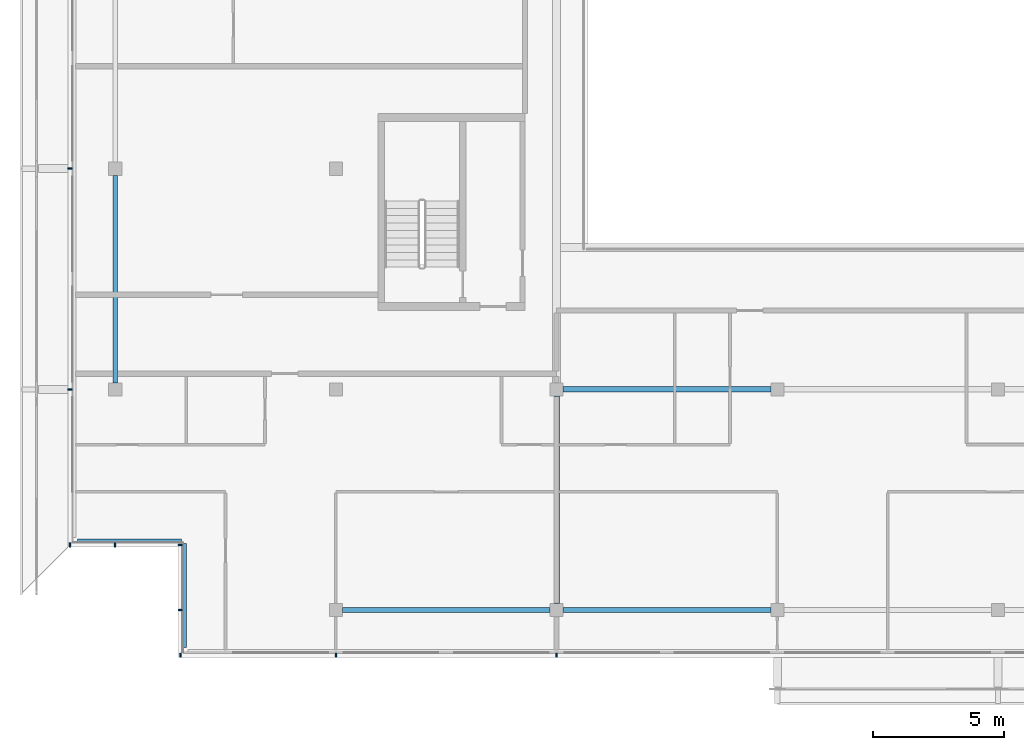
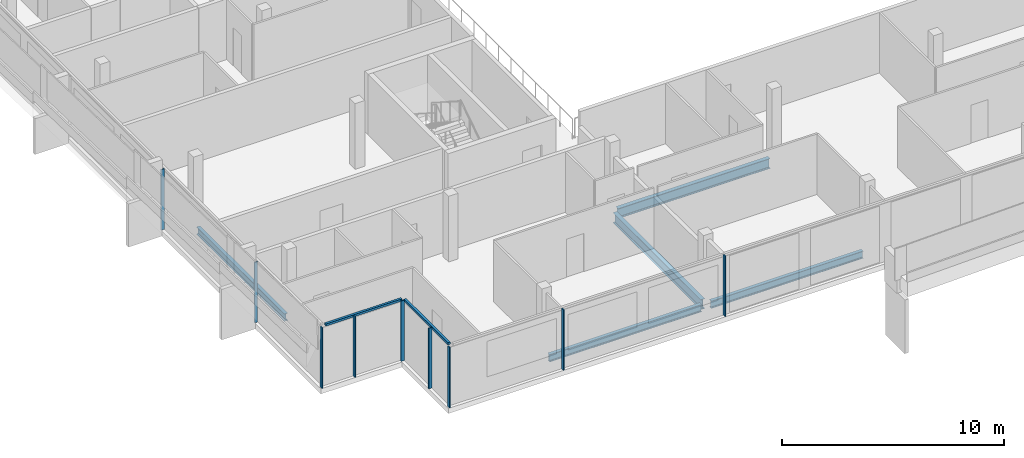
# One storey, part 2 of 26: 11 members, 5 beams, 4 elements without a shape of their own.
"""IFC4 building model written with IfcOpenShell, lengths in metres."""

import ifcopenshell
import ifcopenshell.guid

model = None  # the IFC model being written
_history = None  # IfcOwnerHistory: only IFC2X3 demands one
_inside = {}  # id of a spatial element -> (the spatial element, [elements in it])
_under = {}  # id of a project, library or spatial element -> (it, [spatial elements below it])
_declared = {}  # id of a project -> (the project, [libraries it declares])
_typed = {}  # id of a type object -> (the type object, [elements of that type])
_made_of = {}  # id of a material, layer set ... -> (it, [elements and type objects made of it])


def new_model(schema):
    """Start an empty IFC model of exactly this schema.

    Asked for "IFC4X3", IfcOpenShell would pick the latest addendum, in which some entities
    have other attributes; the version numbers below select the first issue.
    IFC2X3 requires an IfcOwnerHistory on every rooted entity: one is made here for all.
    """
    global model, _history
    if schema == "IFC4X3":
        model = ifcopenshell.file(schema_version=(4, 3, 0, 0))
    else:
        model = ifcopenshell.file(schema=schema)
    _inside.clear()
    _under.clear()
    _declared.clear()
    _typed.clear()
    _made_of.clear()
    _history = None
    if model.schema == "IFC2X3":
        org = make("IfcOrganization", Name="unknown")
        user = make(
            "IfcPersonAndOrganization",
            ThePerson=make("IfcPerson", FamilyName="unknown"),
            TheOrganization=org,
        )
        app = make(
            "IfcApplication",
            ApplicationDeveloper=org,
            Version="unknown",
            ApplicationFullName="unknown",
            ApplicationIdentifier="unknown",
        )
        _history = make(
            "IfcOwnerHistory",
            OwningUser=user,
            OwningApplication=app,
            ChangeAction="ADDED",
            CreationDate=0,
        )
    return model


def make(cls, **values):
    """One entity of the class cls with the attributes given. An attribute that is None is left unset."""
    return model.create_entity(
        cls, **{name: value for name, value in values.items() if value is not None}
    )


def rooted(cls, **values):
    """An entity with a GlobalId (a new one), such as an element, a storey or a relation."""
    return make(cls, GlobalId=ifcopenshell.guid.new(), OwnerHistory=_history, **values)


def si_unit(unit_type, name, prefix=None):
    """IfcSIUnit, for example si_unit("LENGTHUNIT", "METRE", prefix="MILLI")."""
    return make("IfcSIUnit", UnitType=unit_type, Prefix=prefix, Name=name)


def assignment(units):
    """IfcUnitAssignment: the units of a project."""
    return None if units is None else make("IfcUnitAssignment", Units=units)


def point(xyz):
    """IfcCartesianPoint."""
    return None if xyz is None else make("IfcCartesianPoint", Coordinates=xyz)


def direction(xyz):
    """IfcDirection."""
    return None if xyz is None else make("IfcDirection", DirectionRatios=xyz)


def frame(location, z_axis=None, x_axis=None):
    """IfcAxis2Placement3D, a coordinate frame: its origin and axes. An axis left out is left unset."""
    return make(
        "IfcAxis2Placement3D",
        Location=point(location),
        Axis=direction(z_axis),
        RefDirection=direction(x_axis),
    )


def frame_2d(location, x_axis=None):
    """IfcAxis2Placement2D, a coordinate frame in the plane: its origin and x axis."""
    return make(
        "IfcAxis2Placement2D", Location=point(location), RefDirection=direction(x_axis)
    )


def origin():
    """The frame at (0, 0, 0) with its axes left unset."""
    return frame((0.0, 0.0, 0.0))


def origin_2d():
    """The frame at (0, 0) in the plane with its x axis left unset."""
    return frame_2d((0.0, 0.0))


def place(relative_to, where):
    """IfcLocalPlacement: puts the frame where relative to a parent placement (None: the world)."""
    return make(
        "IfcLocalPlacement", PlacementRelTo=relative_to, RelativePlacement=where
    )


def context(
    kind, dimensions, precision=None, world=None, true_north=None, identifier=None
):
    """IfcGeometricRepresentationContext, for example the 3D "Model" context."""
    return make(
        "IfcGeometricRepresentationContext",
        ContextIdentifier=identifier,
        ContextType=kind,
        CoordinateSpaceDimension=dimensions,
        Precision=precision,
        WorldCoordinateSystem=world,
        TrueNorth=true_north,
    )


def subcontext(parent, identifier, kind, view, scale=None):
    """IfcGeometricRepresentationSubContext, for example "Body" below "Model"."""
    return make(
        "IfcGeometricRepresentationSubContext",
        ContextIdentifier=identifier,
        ContextType=kind,
        ParentContext=parent,
        TargetScale=scale,
        TargetView=view,
    )


def project(units=None, contexts=None):
    """IfcProject with its units and contexts."""
    return rooted(
        "IfcProject",
        Name="project",
        RepresentationContexts=contexts,
        UnitsInContext=assignment(units),
    )


def spatial(cls, under=None, at=None, **own):
    """A site, building, storey or space (cls), placed at a placement, below another one or the project."""
    s = rooted(cls, ObjectPlacement=at, **own)
    if under is not None:
        _under.setdefault(under.id(), (under, []))[1].append(s)
    return s


def profile(cls, at=None, kind="AREA", **sizes):
    """A parametric profile (cls). Its sizes go by their IFC names, for example OverallWidth=200.0."""
    return make(cls, ProfileType=kind, Position=at, **sizes)


def rectangle(**sizes):
    """IfcRectangleProfileDef."""
    return profile("IfcRectangleProfileDef", **sizes)


def i_section(**sizes):
    """IfcIShapeProfileDef."""
    return profile("IfcIShapeProfileDef", **sizes)


def extrude(swept, where, along, depth):
    """IfcExtrudedAreaSolid: the profile swept, set in the frame where, extruded along a direction by depth."""
    return make(
        "IfcExtrudedAreaSolid",
        SweptArea=swept,
        Position=where,
        ExtrudedDirection=direction(along),
        Depth=depth,
    )


def shape(context_of_items, identifier, shape_type, items):
    """IfcShapeRepresentation: the items that make up one representation, for example the "Body"."""
    return make(
        "IfcShapeRepresentation",
        ContextOfItems=context_of_items,
        RepresentationIdentifier=identifier,
        RepresentationType=shape_type,
        Items=items,
    )


def material(Name=None, Category=None):
    """IfcMaterial."""
    return make("IfcMaterial", Name=Name, Category=Category)


def material_profile(
    of_material, cross_section, Name=None, Category=None, Priority=None
):
    """IfcMaterialProfile: a cross section and its material."""
    return make(
        "IfcMaterialProfile",
        Name=Name,
        Material=of_material,
        Profile=cross_section,
        Priority=Priority,
        Category=Category,
    )


def profile_set(profiles, Name=None, composite=None):
    """IfcMaterialProfileSet."""
    return make(
        "IfcMaterialProfileSet",
        Name=Name,
        MaterialProfiles=profiles,
        CompositeProfile=composite,
    )


def made_of(thing, what):
    """Note that an element or type object is made of a material, layer set ...; save() writes the relation."""
    if what is not None:
        _made_of.setdefault(what.id(), (what, []))[1].append(thing)
    return thing


def type_object(cls, material=None, **own):
    """A type object (cls), such as IfcWallType, which elements share."""
    return made_of(rooted(cls, **own), material)


def element(
    cls,
    number,
    at=None,
    inside=None,
    cuts=None,
    type_object=None,
    material=None,
    context=None,
    identifier="Body",
    shape_type=None,
    held_by="IfcProductDefinitionShape",
    body=None,
    shapes=None,
    **own,
):
    """One element of the class cls, such as IfcWall. Its Tag is "e" and its number.

    at: its placement. inside: the storey or other place that contains it. cuts: it is an
    opening in that element (IfcRelVoidsElement). A single representation is given by context,
    identifier, shape_type and body (its items); several are given by shapes. held_by: the class
    of the entity that holds the representations. save() writes the other relations.
    """
    e = rooted(cls, Tag="e%d" % number, ObjectPlacement=at, **own)
    if body is not None:
        shapes = [shape(context, identifier, shape_type, body)]
    if shapes is not None:
        e.Representation = make(held_by, Representations=shapes)
    if inside is not None:
        _inside.setdefault(inside.id(), (inside, []))[1].append(e)
    if cuts is not None:
        rooted(
            "IfcRelVoidsElement", RelatingBuildingElement=cuts, RelatedOpeningElement=e
        )
    if type_object is not None:
        _typed.setdefault(type_object.id(), (type_object, []))[1].append(e)
    return made_of(e, material)


def aggregate(whole, parts):
    """IfcRelAggregates: a whole, such as a stair, and the parts it consists of."""
    return rooted("IfcRelAggregates", RelatingObject=whole, RelatedObjects=parts)


def save(model, path):
    """Write the relations noted so far, then the file.

    IfcRelAggregates (storeys below a building ...), IfcRelContainedInSpatialStructure (elements
    in a storey), IfcRelDefinesByType, IfcRelAssociatesMaterial and IfcRelDeclares: one each for
    every whole, place, type object, material and project.
    """
    for whole, parts in _under.values():
        aggregate(whole, parts)
    for where, things in _inside.values():
        rooted(
            "IfcRelContainedInSpatialStructure",
            RelatedElements=things,
            RelatingStructure=where,
        )
    for kind, things in _typed.values():
        rooted("IfcRelDefinesByType", RelatedObjects=things, RelatingType=kind)
    for what, things in _made_of.values():
        rooted("IfcRelAssociatesMaterial", RelatedObjects=things, RelatingMaterial=what)
    for by, libraries in _declared.values():
        rooted("IfcRelDeclares", RelatingContext=by, RelatedDefinitions=libraries)
    model.write(path)


model = new_model("IFC4")

# Units and contexts
model_context = context("Model", 3, precision=1e-05, world=origin(), true_north=direction((0.0, 1.0)))
body_context = subcontext(model_context, "Body", "Model", "MODEL_VIEW")
ifc_project = project(units=[si_unit("LENGTHUNIT", "METRE"), si_unit("AREAUNIT", "SQUARE_METRE"), si_unit("VOLUMEUNIT", "CUBIC_METRE"), si_unit("PLANEANGLEUNIT", "RADIAN"), si_unit("MASSUNIT", "GRAM", prefix="KILO")], contexts=[model_context])

# Site, building, storey
site_placement = place(None, origin())
site = spatial("IfcSite", under=ifc_project, at=site_placement, CompositionType="ELEMENT")
building_placement = place(site_placement, origin())
building = spatial("IfcBuilding", under=site, at=building_placement, Name="Saffron Gate Tower", CompositionType="ELEMENT")
storey_placement = place(building_placement, frame((0.0, 0.0, 277.949951171875)))
storey = spatial("IfcBuildingStorey", under=building, at=storey_placement, Name="L67", CompositionType="ELEMENT", Elevation=277.949951171875)

# Beams
ifc_material_1 = material(Name="Structural steel S355", Category="steel")
ifc_material_profile_1 = material_profile(ifc_material_1, i_section(OverallWidth=0.2099609375, OverallDepth=0.550048828125, WebThickness=0.010986328125, FlangeThickness=0.01708984375, FilletRadius=0.02392578125, at=origin_2d()))
ifc_profile_set_1 = profile_set([ifc_material_profile_1], Name="Structural steel S355")
beam_type_1 = type_object("IfcBeamType", Name="B12 IPE 550", PredefinedType="BEAM", material=ifc_profile_set_1)
for number, where, z_axis, x_axis, name in (
    (1, (75.0, 32.050048828125, -0.554931640625), (0.0, 1.0, 0.0), (-1.0, 0.0, 0.0), "B12 FLOOR GIRDER"),
    (2, (75.25, 40.199951171875, -0.554931640625), (1.0, 0.0, 0.0), (0.0, 1.0, 0.0), "B12 FLOOR GIRDER"),
):
    element("IfcBeam", number, at=place(storey_placement, frame(where, z_axis=z_axis, x_axis=x_axis)), inside=storey, type_object=beam_type_1, Name=name, PredefinedType="BEAM", context=body_context, shape_type="SweptSolid", body=[
        extrude(i_section(OverallWidth=0.2099609375, OverallDepth=0.550048828125, WebThickness=0.010986328125, FlangeThickness=0.01708984375, FilletRadius=0.02392578125, at=origin_2d()), origin(), (0.0, 0.0, 1.0), 7.89990234375),
    ])
ifc_material_profile_2 = material_profile(ifc_material_1, i_section(OverallWidth=0.179931640625, OverallDepth=0.39990234375, WebThickness=0.008544921875, FlangeThickness=0.013427734375, FilletRadius=0.02099609375, at=origin_2d()))
ifc_profile_set_2 = profile_set([ifc_material_profile_2], Name="Structural steel S355")
beam_type_2 = type_object("IfcBeamType", Name="B5 IPE 400", PredefinedType="SPANDREL", material=ifc_profile_set_2)
beam_placement = place(storey_placement, frame((58.199951171875, 40.449951171875, -0.47998046875), z_axis=(0.0, 1.0, 0.0), x_axis=(-1.0, 0.0, 0.0)))
element("IfcBeam", 3, at=beam_placement, inside=storey, type_object=beam_type_2, Name="B5 SPANDREL BEAM", PredefinedType="SPANDREL", context=body_context, shape_type="SweptSolid", body=[
    extrude(i_section(OverallWidth=0.179931640625, OverallDepth=0.39990234375, WebThickness=0.008544921875, FlangeThickness=0.013427734375, FilletRadius=0.02099609375, at=origin_2d()), origin(), (0.0, 0.0, 1.0), 7.900146484375),
])
for number, where, z_axis, x_axis, name in (
    (4, (66.85009765625, 31.800048828125, -0.47998046875), (1.0, 0.0, 0.0), (0.0, 1.0, 0.0), "B5 SPANDREL BEAM"),
    (5, (75.25, 31.800048828125, -0.47998046875), (1.0, 0.0, 0.0), (0.0, 1.0, 0.0), "B5 SPANDREL BEAM"),
):
    element("IfcBeam", number, at=place(storey_placement, frame(where, z_axis=z_axis, x_axis=x_axis)), inside=storey, type_object=beam_type_2, Name=name, PredefinedType="SPANDREL", context=body_context, shape_type="SweptSolid", body=[
        extrude(i_section(OverallWidth=0.179931640625, OverallDepth=0.39990234375, WebThickness=0.008544921875, FlangeThickness=0.013427734375, FilletRadius=0.02099609375, at=origin_2d()), origin(), (0.0, 0.0, 1.0), 7.89990234375),
    ])

# Curtain wall, members
ifc_material_2 = material(Name="Aluminium, bronze anodised", Category="aluminium")
curtain_wall_type_1 = type_object("IfcCurtainWallType", Name="CWS1 curtain wall front facade", PredefinedType="NOTDEFINED", material=ifc_material_2)
curtain_wall_1_placement = place(storey_placement, origin())
curtain_wall_1 = element("IfcCurtainWall", 6, at=curtain_wall_1_placement, inside=storey, type_object=curtain_wall_type_1, Name="CWS1 run 1", PredefinedType="NOTDEFINED")
ifc_material_profile_3 = material_profile(ifc_material_2, rectangle(XDim=0.159912109375, YDim=0.06005859375, at=origin_2d()))
ifc_profile_set_3 = profile_set([ifc_material_profile_3], Name="Aluminium, bronze anodised")
member_type_1 = type_object("IfcMemberType", Name="CWS1 mullion 60x160", PredefinedType="MULLION", material=ifc_profile_set_3)
member_1_placement = place(storey_placement, frame((60.679931640625, 30.080078125, 0.0), z_axis=(0.0, 0.0, 1.0), x_axis=(0.0, 1.0, 0.0)))
member_1 = element("IfcMember", 7, at=member_1_placement, type_object=member_type_1, Name="CWS1 mullion 1", PredefinedType="MULLION", context=body_context, shape_type="SweptSolid", body=[
    extrude(rectangle(XDim=0.159912109375, YDim=0.06005859375, at=origin_2d()), origin(), (0.0, 0.0, 1.0), 3.320068359375),
])
member_2_placement = place(storey_placement, frame((66.60009765625, 30.080078125, 0.0), z_axis=(0.0, 0.0, 1.0), x_axis=(0.0, 1.0, 0.0)))
member_2 = element("IfcMember", 8, at=member_2_placement, type_object=member_type_1, Name="CWS1 mullion 2", PredefinedType="MULLION", context=body_context, shape_type="SweptSolid", body=[
    extrude(rectangle(XDim=0.159912109375, YDim=0.06005859375, at=origin_2d()), origin(), (0.0, 0.0, 1.0), 3.320068359375),
])
member_3_placement = place(storey_placement, frame((75.0, 30.080078125, 0.0), z_axis=(0.0, 0.0, 1.0), x_axis=(0.0, 1.0, 0.0)))
member_3 = element("IfcMember", 9, at=member_3_placement, type_object=member_type_1, Name="CWS1 mullion 3", PredefinedType="MULLION", context=body_context, shape_type="SweptSolid", body=[
    extrude(rectangle(XDim=0.159912109375, YDim=0.06005859375, at=origin_2d()), origin(), (0.0, 0.0, 1.0), 3.320068359375),
])
aggregate(curtain_wall_1, [member_1, member_2, member_3])

curtain_wall_type_2 = type_object("IfcCurtainWallType", Name="CWS2 curtain wall side facades", PredefinedType="NOTDEFINED", material=ifc_material_2)
curtain_wall_2_placement = place(storey_placement, origin())
curtain_wall_2 = element("IfcCurtainWall", 10, at=curtain_wall_2_placement, inside=storey, type_object=curtain_wall_type_2, Name="CWS2 run 10", PredefinedType="NOTDEFINED")
ifc_material_profile_4 = material_profile(ifc_material_2, rectangle(XDim=0.159912109375, YDim=0.06005859375, at=origin_2d()))
ifc_profile_set_4 = profile_set([ifc_material_profile_4], Name="Aluminium, bronze anodised")
member_type_2 = type_object("IfcMemberType", Name="CWS2 mullion 60x160", PredefinedType="MULLION", material=ifc_profile_set_4)
member_4_placement = place(storey_placement, frame((56.47998046875, 48.60009765625, 0.0), z_axis=(0.0, 0.0, 1.0), x_axis=(1.0, 0.0, 0.0)))
member_4 = element("IfcMember", 11, at=member_4_placement, type_object=member_type_2, Name="CWS2 mullion 4", PredefinedType="MULLION", context=body_context, shape_type="SweptSolid", body=[
    extrude(rectangle(XDim=0.159912109375, YDim=0.06005859375, at=origin_2d()), origin(), (0.0, 0.0, 1.0), 3.320068359375),
])
member_5_placement = place(storey_placement, frame((56.47998046875, 40.199951171875, 0.0), z_axis=(0.0, 0.0, 1.0), x_axis=(1.0, 0.0, 0.0)))
member_5 = element("IfcMember", 12, at=member_5_placement, type_object=member_type_2, Name="CWS2 mullion 5", PredefinedType="MULLION", context=body_context, shape_type="SweptSolid", body=[
    extrude(rectangle(XDim=0.159912109375, YDim=0.06005859375, at=origin_2d()), origin(), (0.0, 0.0, 1.0), 3.320068359375),
])
aggregate(curtain_wall_2, [member_4, member_5])

# Curtain wall, member
curtain_wall_type_3 = type_object("IfcCurtainWallType", Name="CWS4 curtain wall corner returns", PredefinedType="NOTDEFINED", material=ifc_material_2)
curtain_wall_3_placement = place(storey_placement, origin())
curtain_wall_3 = element("IfcCurtainWall", 13, at=curtain_wall_3_placement, inside=storey, type_object=curtain_wall_type_3, Name="CWS4 run 11", PredefinedType="NOTDEFINED")
ifc_material_profile_5 = material_profile(ifc_material_2, rectangle(XDim=0.1201171875, YDim=0.1201171875, at=origin_2d()))
ifc_profile_set_5 = profile_set([ifc_material_profile_5], Name="Aluminium, bronze anodised")
member_type_3 = type_object("IfcMemberType", Name="CWS4 head transom", PredefinedType="USERDEFINED", material=ifc_profile_set_5)
member_6_placement = place(storey_placement, frame((56.76806640625, 34.447998046875, 3.260009765625), z_axis=(1.0, 0.0, 0.0), x_axis=(0.0, 1.0, 0.0)))
member_6 = element("IfcMember", 14, at=member_6_placement, type_object=member_type_3, Name="CWS4 head transom", ObjectType="TRANSOM", PredefinedType="USERDEFINED", context=body_context, shape_type="SweptSolid", body=[
    extrude(rectangle(XDim=0.1201171875, YDim=0.1201171875, at=origin_2d()), origin(), (0.0, 0.0, 1.0), 3.9599609375),
])

curtain_wall_4_placement = place(storey_placement, origin())
curtain_wall_4 = element("IfcCurtainWall", 15, at=curtain_wall_4_placement, inside=storey, type_object=curtain_wall_type_3, Name="CWS4 run 12", PredefinedType="NOTDEFINED")
member_7_placement = place(storey_placement, frame((60.847900390625, 34.327880859375, 3.260009765625), z_axis=(0.0, -1.0, 0.0), x_axis=(1.0, 0.0, 0.0)))
member_7 = element("IfcMember", 16, at=member_7_placement, type_object=member_type_3, Name="CWS4 head transom", ObjectType="TRANSOM", PredefinedType="USERDEFINED", context=body_context, shape_type="SweptSolid", body=[
    extrude(rectangle(XDim=0.1201171875, YDim=0.1201171875, at=origin_2d()), origin(), (0.0, 0.0, 1.0), 3.9599609375),
])

# Member
ifc_material_profile_6 = material_profile(ifc_material_2, rectangle(XDim=0.159912109375, YDim=0.06005859375, at=origin_2d()))
ifc_profile_set_6 = profile_set([ifc_material_profile_6], Name="Aluminium, bronze anodised")
member_type_4 = type_object("IfcMemberType", Name="CWS4 mullion 60x160", PredefinedType="MULLION", material=ifc_profile_set_6)
member_8_placement = place(storey_placement, frame((56.47998046875, 34.280029296875, 0.0), z_axis=(0.0, 0.0, 1.0), x_axis=(0.0, 1.0, 0.0)))
member_8 = element("IfcMember", 17, at=member_8_placement, type_object=member_type_4, Name="CWS4 mullion 1", PredefinedType="MULLION", context=body_context, shape_type="SweptSolid", body=[
    extrude(rectangle(XDim=0.159912109375, YDim=0.06005859375, at=origin_2d()), origin(), (0.0, 0.0, 1.0), 3.320068359375),
])

member_9_placement = place(storey_placement, frame((58.199951171875, 34.280029296875, 0.0), z_axis=(0.0, 0.0, 1.0), x_axis=(0.0, 1.0, 0.0)))
member_9 = element("IfcMember", 18, at=member_9_placement, type_object=member_type_4, Name="CWS4 mullion 2", PredefinedType="MULLION", context=body_context, shape_type="SweptSolid", body=[
    extrude(rectangle(XDim=0.159912109375, YDim=0.06005859375, at=origin_2d()), origin(), (0.0, 0.0, 1.0), 3.320068359375),
])

aggregate(curtain_wall_3, [member_8, member_9, member_6])

member_10_placement = place(storey_placement, frame((60.679931640625, 34.280029296875, 0.0), z_axis=(0.0, 0.0, 1.0), x_axis=(1.0, 0.0, 0.0)))
member_10 = element("IfcMember", 19, at=member_10_placement, type_object=member_type_4, Name="CWS4 mullion 1", PredefinedType="MULLION", context=body_context, shape_type="SweptSolid", body=[
    extrude(rectangle(XDim=0.159912109375, YDim=0.06005859375, at=origin_2d()), origin(), (0.0, 0.0, 1.0), 3.320068359375),
])

member_11_placement = place(storey_placement, frame((60.679931640625, 31.800048828125, 0.0), z_axis=(0.0, 0.0, 1.0), x_axis=(1.0, 0.0, 0.0)))
member_11 = element("IfcMember", 20, at=member_11_placement, type_object=member_type_4, Name="CWS4 mullion 2", PredefinedType="MULLION", context=body_context, shape_type="SweptSolid", body=[
    extrude(rectangle(XDim=0.159912109375, YDim=0.06005859375, at=origin_2d()), origin(), (0.0, 0.0, 1.0), 3.320068359375),
])

aggregate(curtain_wall_4, [member_10, member_11, member_7])

save(model, "model.ifc")
